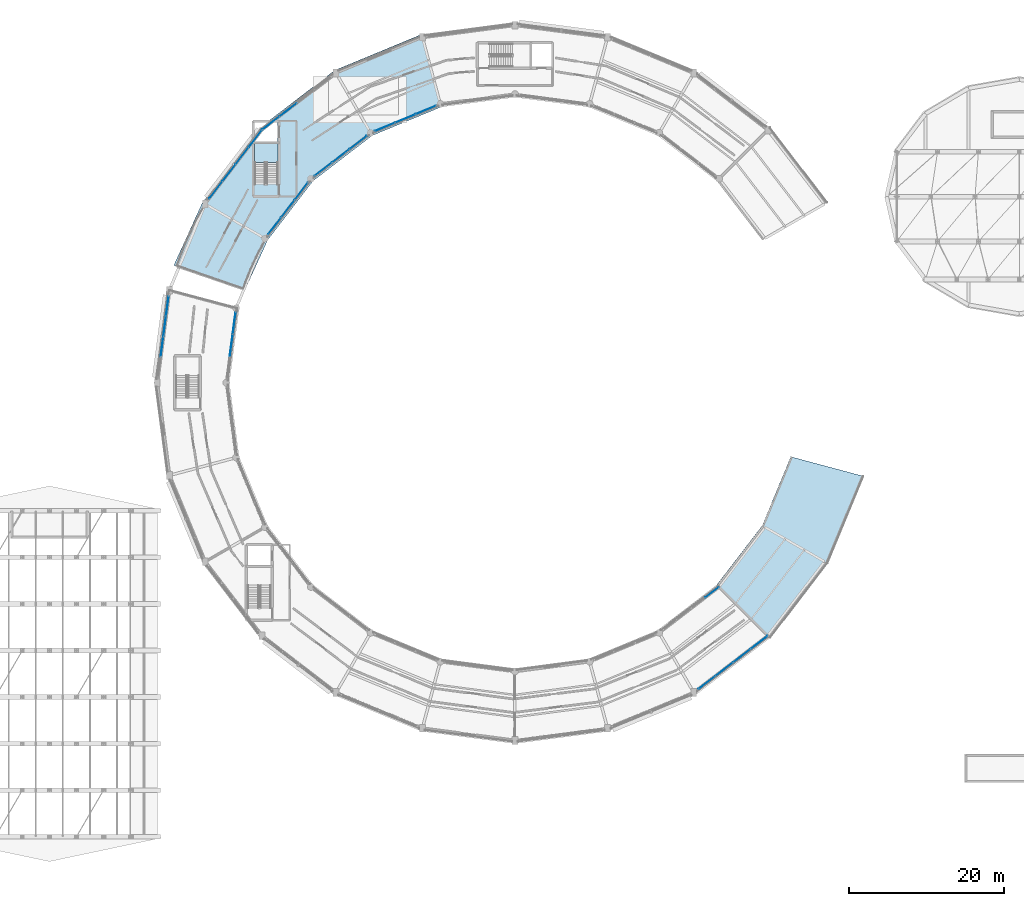
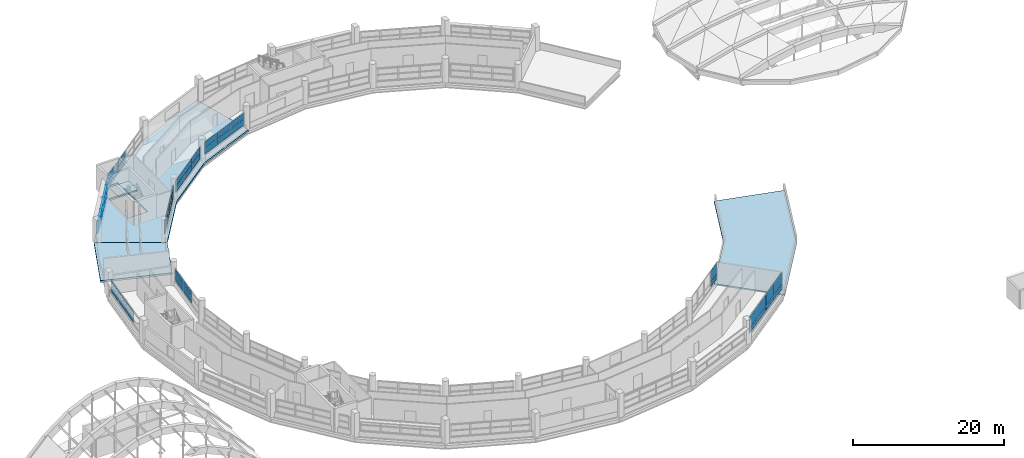
# One storey, part 69 of 88: 50 plates, 4 slabs, 10 elements without a shape of their own.
"""IFC4 building model written with IfcOpenShell, lengths in metres."""

from ifc_helpers import new_model, si_unit, direction, frame, origin, origin_2d, place, context, subcontext, project, spatial, polyline, rectangle, outline, extrude, material, layer, layer_set, type_object, element, aggregate, save


model = new_model("IFC4")

# Units and contexts
model_context = context("Model", 3, precision=1e-05, world=origin(), true_north=direction((0.0, 1.0)))
body_context = subcontext(model_context, "Body", "Model", "MODEL_VIEW")
ifc_project = project(units=[si_unit("LENGTHUNIT", "METRE"), si_unit("AREAUNIT", "SQUARE_METRE"), si_unit("VOLUMEUNIT", "CUBIC_METRE"), si_unit("PLANEANGLEUNIT", "RADIAN"), si_unit("MASSUNIT", "GRAM", prefix="KILO")], contexts=[model_context])

# Site, building, storey
site_placement = place(None, origin())
site = spatial("IfcSite", under=ifc_project, at=site_placement, CompositionType="ELEMENT")
building_placement = place(site_placement, origin())
building = spatial("IfcBuilding", under=site, at=building_placement, Name="Vespera Passage Community Centre", CompositionType="ELEMENT")
storey_placement = place(building_placement, frame((0.0, 0.0, 16.5)))
storey = spatial("IfcBuildingStorey", under=building, at=storey_placement, Name="L04", CompositionType="ELEMENT", Elevation=16.5)

# Curtain wall, plates
ifc_material_1 = material(Name="Anodized aluminium 6063-T6", Category="aluminium")
ifc_layer_1 = layer(ifc_material_1, 0.159912109375)
ifc_layer_set_1 = layer_set([ifc_layer_1], Name="Anodized aluminium 6063-T6")
curtain_wall_type_1 = type_object("IfcCurtainWallType", Name="CW-62E", PredefinedType="NOTDEFINED", material=ifc_layer_set_1)
curtain_wall_1_placement = place(storey_placement, origin())
curtain_wall_1 = element("IfcCurtainWall", 1, at=curtain_wall_1_placement, inside=storey, type_object=curtain_wall_type_1, Name="V4 L04 Outer Ribbon Curtain Wall 9", PredefinedType="NOTDEFINED")
ifc_material_2 = material(Name="Low-E insulated vision glass", Category="glass")
ifc_layer_2 = layer(ifc_material_2, 0.02001953125)
ifc_layer_set_2 = layer_set([ifc_layer_2], Name="Low-E insulated vision glass")
plate_type_1 = type_object("IfcPlateType", Name="PL-CWP-20E", PredefinedType="CURTAIN_PANEL", material=ifc_layer_set_2)
plate_1_placement = place(storey_placement, frame((39.444580078125, 90.333251953125, 0.919921875), z_axis=(0.0, 0.0, 1.0), x_axis=(0.608765222978, 0.793350429062, 0.0)))
plate_1 = element("IfcPlate", 2, at=plate_1_placement, type_object=plate_type_1, Name="CW-62E panel 1.1", PredefinedType="CURTAIN_PANEL", context=body_context, shape_type="SweptSolid", body=[
    extrude(rectangle(XDim=2.703369140625, YDim=0.02001953125, at=origin_2d()), origin(), (0.0, 0.0, 1.0), 0.852783203125),
])
plate_2_placement = place(storey_placement, frame((39.444580078125, 90.333251953125, 1.873046875), z_axis=(0.0, 0.0, 1.0), x_axis=(0.608765222978, 0.793350429062, 0.0)))
plate_2 = element("IfcPlate", 3, at=plate_2_placement, type_object=plate_type_1, Name="CW-62E panel 1.2", PredefinedType="CURTAIN_PANEL", context=body_context, shape_type="SweptSolid", body=[
    extrude(rectangle(XDim=2.703369140625, YDim=0.02001953125, at=origin_2d()), origin(), (0.0, 0.0, 1.0), 0.852783203125),
])
plate_3_placement = place(storey_placement, frame((41.1396484375, 92.54248046875, 0.919921875), z_axis=(0.0, 0.0, 1.0), x_axis=(0.608765222978, 0.793350429062, 0.0)))
plate_3 = element("IfcPlate", 4, at=plate_3_placement, type_object=plate_type_1, Name="CW-62E panel 2.1", PredefinedType="CURTAIN_PANEL", context=body_context, shape_type="SweptSolid", body=[
    extrude(rectangle(XDim=2.73583984375, YDim=0.02001953125, at=origin_2d()), origin(), (0.0, 0.0, 1.0), 0.852783203125),
])
plate_4_placement = place(storey_placement, frame((41.1396484375, 92.54248046875, 1.873046875), z_axis=(0.0, 0.0, 1.0), x_axis=(0.608765222978, 0.793350429062, 0.0)))
plate_4 = element("IfcPlate", 5, at=plate_4_placement, type_object=plate_type_1, Name="CW-62E panel 2.2", PredefinedType="CURTAIN_PANEL", context=body_context, shape_type="SweptSolid", body=[
    extrude(rectangle(XDim=2.73583984375, YDim=0.02001953125, at=origin_2d()), origin(), (0.0, 0.0, 1.0), 0.852783203125),
])
plate_5_placement = place(storey_placement, frame((42.8447265625, 94.764404296875, 0.919921875), z_axis=(0.0, 0.0, 1.0), x_axis=(0.608765222978, 0.793350429062, 0.0)))
plate_5 = element("IfcPlate", 6, at=plate_5_placement, type_object=plate_type_1, Name="CW-62E panel 3.1", PredefinedType="CURTAIN_PANEL", context=body_context, shape_type="SweptSolid", body=[
    extrude(rectangle(XDim=2.73583984375, YDim=0.02001953125, at=origin_2d()), origin(), (0.0, 0.0, 1.0), 0.852783203125),
])
plate_6_placement = place(storey_placement, frame((42.8447265625, 94.764404296875, 1.873046875), z_axis=(0.0, 0.0, 1.0), x_axis=(0.608765222978, 0.793350429062, 0.0)))
plate_6 = element("IfcPlate", 7, at=plate_6_placement, type_object=plate_type_1, Name="CW-62E panel 3.2", PredefinedType="CURTAIN_PANEL", context=body_context, shape_type="SweptSolid", body=[
    extrude(rectangle(XDim=2.73583984375, YDim=0.02001953125, at=origin_2d()), origin(), (0.0, 0.0, 1.0), 0.852783203125),
])
plate_7_placement = place(storey_placement, frame((44.5400390625, 96.9736328125, 0.919921875), z_axis=(0.0, 0.0, 1.0), x_axis=(0.608765222978, 0.793350429062, 0.0)))
plate_7 = element("IfcPlate", 8, at=plate_7_placement, type_object=plate_type_1, Name="CW-62E panel 4.1", PredefinedType="CURTAIN_PANEL", context=body_context, shape_type="SweptSolid", body=[
    extrude(rectangle(XDim=2.703369140625, YDim=0.02001953125, at=origin_2d()), origin(), (0.0, 0.0, 1.0), 0.852783203125),
])
plate_8_placement = place(storey_placement, frame((44.5400390625, 96.9736328125, 1.873046875), z_axis=(0.0, 0.0, 1.0), x_axis=(0.608765222978, 0.793350429062, 0.0)))
plate_8 = element("IfcPlate", 9, at=plate_8_placement, type_object=plate_type_1, Name="CW-62E panel 4.2", PredefinedType="CURTAIN_PANEL", context=body_context, shape_type="SweptSolid", body=[
    extrude(rectangle(XDim=2.703369140625, YDim=0.02001953125, at=origin_2d()), origin(), (0.0, 0.0, 1.0), 0.852783203125),
])
aggregate(curtain_wall_1, [plate_1, plate_2, plate_3, plate_4, plate_5, plate_6, plate_7, plate_8])

ifc_material_3 = material(Name="Anodized aluminium 6063-T6", Category="aluminium")
ifc_layer_3 = layer(ifc_material_3, 0.159912109375)
ifc_layer_set_3 = layer_set([ifc_layer_3], Name="Anodized aluminium 6063-T6")
curtain_wall_type_2 = type_object("IfcCurtainWallType", Name="CW-54E", PredefinedType="NOTDEFINED", material=ifc_layer_set_3)
curtain_wall_2_placement = place(storey_placement, origin())
curtain_wall_2 = element("IfcCurtainWall", 10, at=curtain_wall_2_placement, inside=storey, type_object=curtain_wall_type_2, Name="V4 L04 Inner Court Curtain Wall 9", PredefinedType="NOTDEFINED")
plate_9_placement = place(storey_placement, frame((50.458251953125, 90.191650390625, 0.880126953125), z_axis=(0.0, 0.0, 1.0), x_axis=(-0.608755087843, -0.793358205999, 0.0)))
plate_9 = element("IfcPlate", 11, at=plate_9_placement, type_object=plate_type_1, Name="CW-54E panel 1.1", PredefinedType="CURTAIN_PANEL", context=body_context, shape_type="SweptSolid", body=[
    extrude(rectangle(XDim=2.72900390625, YDim=0.02001953125, at=origin_2d()), origin(), (0.0, 0.0, 1.0), 0.95458984375),
])
plate_10_placement = place(storey_placement, frame((50.458251953125, 90.191650390625, 1.894775390625), z_axis=(0.0, 0.0, 1.0), x_axis=(-0.608755087843, -0.793358205999, 0.0)))
plate_10 = element("IfcPlate", 12, at=plate_10_placement, type_object=plate_type_1, Name="CW-54E panel 1.2", PredefinedType="CURTAIN_PANEL", context=body_context, shape_type="SweptSolid", body=[
    extrude(rectangle(XDim=2.72900390625, YDim=0.02001953125, at=origin_2d()), origin(), (0.0, 0.0, 1.0), 0.95458984375),
])
plate_11_placement = place(storey_placement, frame((48.73974609375, 87.9521484375, 0.880126953125), z_axis=(0.0, 0.0, 1.0), x_axis=(-0.608755087843, -0.793358205999, 0.0)))
plate_11 = element("IfcPlate", 13, at=plate_11_placement, type_object=plate_type_1, Name="CW-54E panel 2.1", PredefinedType="CURTAIN_PANEL", context=body_context, shape_type="SweptSolid", body=[
    extrude(rectangle(XDim=2.7666015625, YDim=0.02001953125, at=origin_2d()), origin(), (0.0, 0.0, 1.0), 0.95458984375),
])
plate_12_placement = place(storey_placement, frame((48.73974609375, 87.9521484375, 1.894775390625), z_axis=(0.0, 0.0, 1.0), x_axis=(-0.608755087843, -0.793358205999, 0.0)))
plate_12 = element("IfcPlate", 14, at=plate_12_placement, type_object=plate_type_1, Name="CW-54E panel 2.2", PredefinedType="CURTAIN_PANEL", context=body_context, shape_type="SweptSolid", body=[
    extrude(rectangle(XDim=2.7666015625, YDim=0.02001953125, at=origin_2d()), origin(), (0.0, 0.0, 1.0), 0.95458984375),
])
plate_13_placement = place(storey_placement, frame((47.021240234375, 85.712646484375, 0.880126953125), z_axis=(0.0, 0.0, 1.0), x_axis=(-0.608755087843, -0.793358205999, 0.0)))
plate_13 = element("IfcPlate", 15, at=plate_13_placement, type_object=plate_type_1, Name="CW-54E panel 3.1", PredefinedType="CURTAIN_PANEL", context=body_context, shape_type="SweptSolid", body=[
    extrude(rectangle(XDim=2.72900390625, YDim=0.02001953125, at=origin_2d()), origin(), (0.0, 0.0, 1.0), 0.95458984375),
])
plate_14_placement = place(storey_placement, frame((47.021240234375, 85.712646484375, 1.894775390625), z_axis=(0.0, 0.0, 1.0), x_axis=(-0.608755087843, -0.793358205999, 0.0)))
plate_14 = element("IfcPlate", 16, at=plate_14_placement, type_object=plate_type_1, Name="CW-54E panel 3.2", PredefinedType="CURTAIN_PANEL", context=body_context, shape_type="SweptSolid", body=[
    extrude(rectangle(XDim=2.72900390625, YDim=0.02001953125, at=origin_2d()), origin(), (0.0, 0.0, 1.0), 0.95458984375),
])
aggregate(curtain_wall_2, [plate_9, plate_10, plate_11, plate_12, plate_13, plate_14])

ifc_material_4 = material(Name="Anodized aluminium 6063-T6", Category="aluminium")
ifc_layer_4 = layer(ifc_material_4, 0.159912109375)
ifc_layer_set_4 = layer_set([ifc_layer_4], Name="Anodized aluminium 6063-T6")
curtain_wall_type_3 = type_object("IfcCurtainWallType", Name="CW-56E", PredefinedType="NOTDEFINED", material=ifc_layer_set_4)
curtain_wall_3_placement = place(storey_placement, origin())
curtain_wall_3 = element("IfcCurtainWall", 17, at=curtain_wall_3_placement, inside=storey, type_object=curtain_wall_type_3, Name="V4 L04 Inner Court Curtain Wall 7", PredefinedType="NOTDEFINED")
ifc_material_5 = material(Name="Low-E insulated vision glass", Category="glass")
ifc_layer_5 = layer(ifc_material_5, 0.028076171875)
ifc_layer_set_5 = layer_set([ifc_layer_5], Name="Low-E insulated vision glass")
plate_type_2 = type_object("IfcPlateType", Name="PL-CWP-28E", PredefinedType="CURTAIN_PANEL", material=ifc_layer_set_5)
plate_15_placement = place(storey_placement, frame((66.52685546875, 100.668212890625, 0.880126953125), z_axis=(0.0, 0.0, 1.0), x_axis=(-0.923876620096, -0.382690463482, 0.0)))
plate_15 = element("IfcPlate", 18, at=plate_15_placement, type_object=plate_type_2, Name="CW-56E panel 1.1", PredefinedType="CURTAIN_PANEL", context=body_context, shape_type="SweptSolid", body=[
    extrude(rectangle(XDim=2.7646484375, YDim=0.028076171875, at=origin_2d()), origin(), (0.0, 0.0, 1.0), 0.95458984375),
])
plate_16_placement = place(storey_placement, frame((66.52685546875, 100.668212890625, 1.894775390625), z_axis=(0.0, 0.0, 1.0), x_axis=(-0.923876620096, -0.382690463482, 0.0)))
plate_16 = element("IfcPlate", 19, at=plate_16_placement, type_object=plate_type_2, Name="CW-56E panel 1.2", PredefinedType="CURTAIN_PANEL", context=body_context, shape_type="SweptSolid", body=[
    extrude(rectangle(XDim=2.7646484375, YDim=0.028076171875, at=origin_2d()), origin(), (0.0, 0.0, 1.0), 0.95458984375),
])
plate_17_placement = place(storey_placement, frame((63.885986328125, 99.57421875, 0.880126953125), z_axis=(0.0, 0.0, 1.0), x_axis=(-0.923876620096, -0.382690463482, 0.0)))
plate_17 = element("IfcPlate", 20, at=plate_17_placement, type_object=plate_type_2, Name="CW-56E panel 2.1", PredefinedType="CURTAIN_PANEL", context=body_context, shape_type="SweptSolid", body=[
    extrude(rectangle(XDim=2.80224609375, YDim=0.028076171875, at=origin_2d()), origin(), (0.0, 0.0, 1.0), 0.95458984375),
])
plate_18_placement = place(storey_placement, frame((63.885986328125, 99.57421875, 1.894775390625), z_axis=(0.0, 0.0, 1.0), x_axis=(-0.923876620096, -0.382690463482, 0.0)))
plate_18 = element("IfcPlate", 21, at=plate_18_placement, type_object=plate_type_2, Name="CW-56E panel 2.2", PredefinedType="CURTAIN_PANEL", context=body_context, shape_type="SweptSolid", body=[
    extrude(rectangle(XDim=2.80224609375, YDim=0.028076171875, at=origin_2d()), origin(), (0.0, 0.0, 1.0), 0.95458984375),
])
plate_19_placement = place(storey_placement, frame((61.2451171875, 98.480224609375, 0.880126953125), z_axis=(0.0, 0.0, 1.0), x_axis=(-0.923876620096, -0.382690463482, 0.0)))
plate_19 = element("IfcPlate", 22, at=plate_19_placement, type_object=plate_type_2, Name="CW-56E panel 3.1", PredefinedType="CURTAIN_PANEL", context=body_context, shape_type="SweptSolid", body=[
    extrude(rectangle(XDim=2.7646484375, YDim=0.028076171875, at=origin_2d()), origin(), (0.0, 0.0, 1.0), 0.95458984375),
])
plate_20_placement = place(storey_placement, frame((61.2451171875, 98.480224609375, 1.894775390625), z_axis=(0.0, 0.0, 1.0), x_axis=(-0.923876620096, -0.382690463482, 0.0)))
plate_20 = element("IfcPlate", 23, at=plate_20_placement, type_object=plate_type_2, Name="CW-56E panel 3.2", PredefinedType="CURTAIN_PANEL", context=body_context, shape_type="SweptSolid", body=[
    extrude(rectangle(XDim=2.7646484375, YDim=0.028076171875, at=origin_2d()), origin(), (0.0, 0.0, 1.0), 0.95458984375),
])
aggregate(curtain_wall_3, [plate_15, plate_16, plate_17, plate_18, plate_19, plate_20])

ifc_material_6 = material(Name="Anodized aluminium 6063-T6", Category="aluminium")
ifc_layer_6 = layer(ifc_material_6, 0.159912109375)
ifc_layer_set_6 = layer_set([ifc_layer_6], Name="Anodized aluminium 6063-T6")
curtain_wall_type_4 = type_object("IfcCurtainWallType", Name="CW-61E", PredefinedType="NOTDEFINED", material=ifc_layer_set_6)
curtain_wall_4_placement = place(storey_placement, origin())
curtain_wall_4 = element("IfcCurtainWall", 24, at=curtain_wall_4_placement, inside=storey, type_object=curtain_wall_type_4, Name="V4 L04 Inner Court Curtain Wall 8", PredefinedType="NOTDEFINED")
ifc_material_7 = material(Name="Acoustic triple-glazed vision glass", Category="glass")
ifc_layer_7 = layer(ifc_material_7, 0.035888671875)
ifc_layer_set_7 = layer_set([ifc_layer_7], Name="Acoustic triple-glazed vision glass")
plate_type_3 = type_object("IfcPlateType", Name="PL-CWP-36E", PredefinedType="CURTAIN_PANEL", material=ifc_layer_set_7)
plate_21_placement = place(storey_placement, frame((57.789306640625, 96.480224609375, 0.919921875), z_axis=(0.0, 0.0, 1.0), x_axis=(-0.793358205999, -0.608755087843, 0.0)))
plate_21 = element("IfcPlate", 25, at=plate_21_placement, type_object=plate_type_3, Name="CW-61E panel 1.1", PredefinedType="CURTAIN_PANEL", context=body_context, shape_type="SweptSolid", body=[
    extrude(rectangle(XDim=2.744140625, YDim=0.035888671875, at=origin_2d()), origin(), (0.0, 0.0, 1.0), 0.894775390625),
])
plate_22_placement = place(storey_placement, frame((57.789306640625, 96.480224609375, 1.91455078125), z_axis=(0.0, 0.0, 1.0), x_axis=(-0.793358205999, -0.608755087843, 0.0)))
plate_22 = element("IfcPlate", 26, at=plate_22_placement, type_object=plate_type_3, Name="CW-61E panel 1.2", PredefinedType="CURTAIN_PANEL", context=body_context, shape_type="SweptSolid", body=[
    extrude(rectangle(XDim=2.744140625, YDim=0.035888671875, at=origin_2d()), origin(), (0.0, 0.0, 1.0), 0.894775390625),
])
plate_23_placement = place(storey_placement, frame((55.5478515625, 94.76025390625, 0.919921875), z_axis=(0.0, 0.0, 1.0), x_axis=(-0.793358205999, -0.608755087843, 0.0)))
plate_23 = element("IfcPlate", 27, at=plate_23_placement, type_object=plate_type_3, Name="CW-61E panel 2.1", PredefinedType="CURTAIN_PANEL", context=body_context, shape_type="SweptSolid", body=[
    extrude(rectangle(XDim=2.776611328125, YDim=0.035888671875, at=origin_2d()), origin(), (0.0, 0.0, 1.0), 0.894775390625),
])
plate_24_placement = place(storey_placement, frame((55.5478515625, 94.76025390625, 1.91455078125), z_axis=(0.0, 0.0, 1.0), x_axis=(-0.793358205999, -0.608755087843, 0.0)))
plate_24 = element("IfcPlate", 28, at=plate_24_placement, type_object=plate_type_3, Name="CW-61E panel 2.2", PredefinedType="CURTAIN_PANEL", context=body_context, shape_type="SweptSolid", body=[
    extrude(rectangle(XDim=2.776611328125, YDim=0.035888671875, at=origin_2d()), origin(), (0.0, 0.0, 1.0), 0.894775390625),
])
plate_25_placement = place(storey_placement, frame((53.306396484375, 93.040283203125, 0.919921875), z_axis=(0.0, 0.0, 1.0), x_axis=(-0.793358205999, -0.608755087843, 0.0)))
plate_25 = element("IfcPlate", 29, at=plate_25_placement, type_object=plate_type_3, Name="CW-61E panel 3.1", PredefinedType="CURTAIN_PANEL", context=body_context, shape_type="SweptSolid", body=[
    extrude(rectangle(XDim=2.744140625, YDim=0.035888671875, at=origin_2d()), origin(), (0.0, 0.0, 1.0), 0.894775390625),
])
plate_26_placement = place(storey_placement, frame((53.306396484375, 93.040283203125, 1.91455078125), z_axis=(0.0, 0.0, 1.0), x_axis=(-0.793358205999, -0.608755087843, 0.0)))
plate_26 = element("IfcPlate", 30, at=plate_26_placement, type_object=plate_type_3, Name="CW-61E panel 3.2", PredefinedType="CURTAIN_PANEL", context=body_context, shape_type="SweptSolid", body=[
    extrude(rectangle(XDim=2.744140625, YDim=0.035888671875, at=origin_2d()), origin(), (0.0, 0.0, 1.0), 0.894775390625),
])
aggregate(curtain_wall_4, [plate_21, plate_22, plate_23, plate_24, plate_25, plate_26])

ifc_material_8 = material(Name="Anodized aluminium 6063-T6", Category="aluminium")
ifc_layer_8 = layer(ifc_material_8, 0.159912109375)
ifc_layer_set_8 = layer_set([ifc_layer_8], Name="Anodized aluminium 6063-T6")
curtain_wall_type_5 = type_object("IfcCurtainWallType", Name="CW-63E", PredefinedType="NOTDEFINED", material=ifc_layer_set_8)
curtain_wall_5_placement = place(storey_placement, origin())
curtain_wall_5 = element("IfcCurtainWall", 31, at=curtain_wall_5_placement, inside=storey, type_object=curtain_wall_type_5, Name="V4 L04 Outer Ribbon Curtain Wall 11", PredefinedType="NOTDEFINED")
plate_27_placement = place(storey_placement, frame((32.512451171875, 70.152587890625, 0.919921875), z_axis=(0.0, 0.0, 1.0), x_axis=(0.130522869458, 0.991445298818, 0.0)))
plate_27 = element("IfcPlate", 32, at=plate_27_placement, type_object=plate_type_3, Name="CW-63E panel 2.1", PredefinedType="CURTAIN_PANEL", context=body_context, shape_type="SweptSolid", body=[
    extrude(rectangle(XDim=2.573974609375, YDim=0.035888671875, at=origin_2d()), origin(), (0.0, 0.0, 1.0), 0.852783203125),
])
plate_28_placement = place(storey_placement, frame((32.512451171875, 70.152587890625, 1.873046875), z_axis=(0.0, 0.0, 1.0), x_axis=(0.130522869458, 0.991445298818, 0.0)))
plate_28 = element("IfcPlate", 33, at=plate_28_placement, type_object=plate_type_3, Name="CW-63E panel 2.2", PredefinedType="CURTAIN_PANEL", context=body_context, shape_type="SweptSolid", body=[
    extrude(rectangle(XDim=2.573974609375, YDim=0.035888671875, at=origin_2d()), origin(), (0.0, 0.0, 1.0), 0.852783203125),
])
plate_29_placement = place(storey_placement, frame((32.858154296875, 72.779052734375, 0.919921875), z_axis=(0.0, 0.0, 1.0), x_axis=(0.130522869458, 0.991445298818, 0.0)))
plate_29 = element("IfcPlate", 34, at=plate_29_placement, type_object=plate_type_3, Name="CW-63E panel 3.1", PredefinedType="CURTAIN_PANEL", context=body_context, shape_type="SweptSolid", body=[
    extrude(rectangle(XDim=2.573974609375, YDim=0.035888671875, at=origin_2d()), origin(), (0.0, 0.0, 1.0), 0.852783203125),
])
plate_30_placement = place(storey_placement, frame((32.858154296875, 72.779052734375, 1.873046875), z_axis=(0.0, 0.0, 1.0), x_axis=(0.130522869458, 0.991445298818, 0.0)))
plate_30 = element("IfcPlate", 35, at=plate_30_placement, type_object=plate_type_3, Name="CW-63E panel 3.2", PredefinedType="CURTAIN_PANEL", context=body_context, shape_type="SweptSolid", body=[
    extrude(rectangle(XDim=2.573974609375, YDim=0.035888671875, at=origin_2d()), origin(), (0.0, 0.0, 1.0), 0.852783203125),
])
plate_31_placement = place(storey_placement, frame((33.20166015625, 75.38671875, 0.919921875), z_axis=(0.0, 0.0, 1.0), x_axis=(0.130522869458, 0.991445298818, 0.0)))
plate_31 = element("IfcPlate", 36, at=plate_31_placement, type_object=plate_type_3, Name="CW-63E panel 4.1", PredefinedType="CURTAIN_PANEL", context=body_context, shape_type="SweptSolid", body=[
    extrude(rectangle(XDim=2.536376953125, YDim=0.035888671875, at=origin_2d()), origin(), (0.0, 0.0, 1.0), 0.852783203125),
])
plate_32_placement = place(storey_placement, frame((33.20166015625, 75.38671875, 1.873046875), z_axis=(0.0, 0.0, 1.0), x_axis=(0.130522869458, 0.991445298818, 0.0)))
plate_32 = element("IfcPlate", 37, at=plate_32_placement, type_object=plate_type_3, Name="CW-63E panel 4.2", PredefinedType="CURTAIN_PANEL", context=body_context, shape_type="SweptSolid", body=[
    extrude(rectangle(XDim=2.536376953125, YDim=0.035888671875, at=origin_2d()), origin(), (0.0, 0.0, 1.0), 0.852783203125),
])
aggregate(curtain_wall_5, [plate_27, plate_28, plate_29, plate_30, plate_31, plate_32])

ifc_material_9 = material(Name="Anodized aluminium 6063-T6", Category="aluminium")
ifc_layer_9 = layer(ifc_material_9, 0.159912109375)
ifc_layer_set_9 = layer_set([ifc_layer_9], Name="Anodized aluminium 6063-T6")
curtain_wall_type_6 = type_object("IfcCurtainWallType", Name="CW-58E", PredefinedType="NOTDEFINED", material=ifc_layer_set_9)
curtain_wall_6_placement = place(storey_placement, origin())
curtain_wall_6 = element("IfcCurtainWall", 38, at=curtain_wall_6_placement, inside=storey, type_object=curtain_wall_type_6, Name="V4 L04 Inner Court Curtain Wall 11", PredefinedType="NOTDEFINED")
plate_33_placement = place(storey_placement, frame((41.80908203125, 73.165283203125, 0.880126953125), z_axis=(0.0, 0.0, 1.0), x_axis=(-0.1305221941, -0.991445387728, 0.0)))
plate_33 = element("IfcPlate", 39, at=plate_33_placement, type_object=plate_type_3, Name="CW-58E panel 1.1", PredefinedType="CURTAIN_PANEL", context=body_context, shape_type="SweptSolid", body=[
    extrude(rectangle(XDim=2.79443359375, YDim=0.035888671875, at=origin_2d()), origin(), (0.0, 0.0, 1.0), 0.95458984375),
])
plate_34_placement = place(storey_placement, frame((41.80908203125, 73.165283203125, 1.894775390625), z_axis=(0.0, 0.0, 1.0), x_axis=(-0.1305221941, -0.991445387728, 0.0)))
plate_34 = element("IfcPlate", 40, at=plate_34_placement, type_object=plate_type_3, Name="CW-58E panel 1.2", PredefinedType="CURTAIN_PANEL", context=body_context, shape_type="SweptSolid", body=[
    extrude(rectangle(XDim=2.79443359375, YDim=0.035888671875, at=origin_2d()), origin(), (0.0, 0.0, 1.0), 0.95458984375),
])
plate_35_placement = place(storey_placement, frame((41.433837890625, 70.31396484375, 0.880126953125), z_axis=(0.0, 0.0, 1.0), x_axis=(-0.1305221941, -0.991445387728, 0.0)))
plate_35 = element("IfcPlate", 41, at=plate_35_placement, type_object=plate_type_3, Name="CW-58E panel 2.1", PredefinedType="CURTAIN_PANEL", context=body_context, shape_type="SweptSolid", body=[
    extrude(rectangle(XDim=2.826904296875, YDim=0.035888671875, at=origin_2d()), origin(), (0.0, 0.0, 1.0), 0.95458984375),
])
plate_36_placement = place(storey_placement, frame((41.433837890625, 70.31396484375, 1.894775390625), z_axis=(0.0, 0.0, 1.0), x_axis=(-0.1305221941, -0.991445387728, 0.0)))
plate_36 = element("IfcPlate", 42, at=plate_36_placement, type_object=plate_type_3, Name="CW-58E panel 2.2", PredefinedType="CURTAIN_PANEL", context=body_context, shape_type="SweptSolid", body=[
    extrude(rectangle(XDim=2.826904296875, YDim=0.035888671875, at=origin_2d()), origin(), (0.0, 0.0, 1.0), 0.95458984375),
])
aggregate(curtain_wall_6, [plate_33, plate_34, plate_35, plate_36])

ifc_material_10 = material(Name="Anodized aluminium 6063-T6", Category="aluminium")
ifc_layer_10 = layer(ifc_material_10, 0.159912109375)
ifc_layer_set_10 = layer_set([ifc_layer_10], Name="Anodized aluminium 6063-T6")
curtain_wall_type_7 = type_object("IfcCurtainWallType", Name="CW-67E", PredefinedType="NOTDEFINED", material=ifc_layer_set_10)
curtain_wall_7_placement = place(storey_placement, origin())
curtain_wall_7 = element("IfcCurtainWall", 43, at=curtain_wall_7_placement, inside=storey, type_object=curtain_wall_type_7, Name="V4 L04 Outer Ribbon Curtain Wall 20", PredefinedType="NOTDEFINED")
plate_37_placement = place(storey_placement, frame((109.45751953125, 32.027587890625, 0.8798828125), z_axis=(0.0, 0.0, 1.0), x_axis=(-0.793348128169, -0.608768221519, 0.0)))
plate_37 = element("IfcPlate", 44, at=plate_37_placement, type_object=plate_type_3, Name="CW-67E panel 1.1", PredefinedType="CURTAIN_PANEL", context=body_context, shape_type="SweptSolid", body=[
    extrude(rectangle(XDim=2.72412109375, YDim=0.035888671875, at=origin_2d()), origin(), (0.0, 0.0, 1.0), 0.760009765625),
])
plate_38_placement = place(storey_placement, frame((109.45751953125, 32.027587890625, 1.699951171875), z_axis=(0.0, 0.0, 1.0), x_axis=(-0.793348128169, -0.608768221519, 0.0)))
plate_38 = element("IfcPlate", 45, at=plate_38_placement, type_object=plate_type_3, Name="CW-67E panel 1.2", PredefinedType="CURTAIN_PANEL", context=body_context, shape_type="SweptSolid", body=[
    extrude(rectangle(XDim=2.72412109375, YDim=0.035888671875, at=origin_2d()), origin(), (0.0, 0.0, 1.0), 1.85009765625),
])
plate_39_placement = place(storey_placement, frame((107.221923828125, 30.31201171875, 0.8798828125), z_axis=(0.0, 0.0, 1.0), x_axis=(-0.793348128169, -0.608768221519, 0.0)))
plate_39 = element("IfcPlate", 46, at=plate_39_placement, type_object=plate_type_3, Name="CW-67E panel 2.1", PredefinedType="CURTAIN_PANEL", context=body_context, shape_type="SweptSolid", body=[
    extrude(rectangle(XDim=2.76171875, YDim=0.035888671875, at=origin_2d()), origin(), (0.0, 0.0, 1.0), 0.760009765625),
])
plate_40_placement = place(storey_placement, frame((107.221923828125, 30.31201171875, 1.699951171875), z_axis=(0.0, 0.0, 1.0), x_axis=(-0.793348128169, -0.608768221519, 0.0)))
plate_40 = element("IfcPlate", 47, at=plate_40_placement, type_object=plate_type_3, Name="CW-67E panel 2.2", PredefinedType="CURTAIN_PANEL", context=body_context, shape_type="SweptSolid", body=[
    extrude(rectangle(XDim=2.76171875, YDim=0.035888671875, at=origin_2d()), origin(), (0.0, 0.0, 1.0), 1.85009765625),
])
plate_41_placement = place(storey_placement, frame((104.971435546875, 28.585205078125, 0.8798828125), z_axis=(0.0, 0.0, 1.0), x_axis=(-0.793348128169, -0.608768221519, 0.0)))
plate_41 = element("IfcPlate", 48, at=plate_41_placement, type_object=plate_type_3, Name="CW-67E panel 3.1", PredefinedType="CURTAIN_PANEL", context=body_context, shape_type="SweptSolid", body=[
    extrude(rectangle(XDim=2.76171875, YDim=0.035888671875, at=origin_2d()), origin(), (0.0, 0.0, 1.0), 0.760009765625),
])
plate_42_placement = place(storey_placement, frame((104.971435546875, 28.585205078125, 1.699951171875), z_axis=(0.0, 0.0, 1.0), x_axis=(-0.793348128169, -0.608768221519, 0.0)))
plate_42 = element("IfcPlate", 49, at=plate_42_placement, type_object=plate_type_3, Name="CW-67E panel 3.2", PredefinedType="CURTAIN_PANEL", context=body_context, shape_type="SweptSolid", body=[
    extrude(rectangle(XDim=2.76171875, YDim=0.035888671875, at=origin_2d()), origin(), (0.0, 0.0, 1.0), 1.85009765625),
])
plate_43_placement = place(storey_placement, frame((102.73583984375, 26.86962890625, 0.8798828125), z_axis=(0.0, 0.0, 1.0), x_axis=(-0.793348128169, -0.608768221519, 0.0)))
plate_43 = element("IfcPlate", 50, at=plate_43_placement, type_object=plate_type_3, Name="CW-67E panel 4.1", PredefinedType="CURTAIN_PANEL", context=body_context, shape_type="SweptSolid", body=[
    extrude(rectangle(XDim=2.72412109375, YDim=0.035888671875, at=origin_2d()), origin(), (0.0, 0.0, 1.0), 0.760009765625),
])
plate_44_placement = place(storey_placement, frame((102.73583984375, 26.86962890625, 1.699951171875), z_axis=(0.0, 0.0, 1.0), x_axis=(-0.793348128169, -0.608768221519, 0.0)))
plate_44 = element("IfcPlate", 51, at=plate_44_placement, type_object=plate_type_3, Name="CW-67E panel 4.2", PredefinedType="CURTAIN_PANEL", context=body_context, shape_type="SweptSolid", body=[
    extrude(rectangle(XDim=2.72412109375, YDim=0.035888671875, at=origin_2d()), origin(), (0.0, 0.0, 1.0), 1.85009765625),
])
aggregate(curtain_wall_7, [plate_37, plate_38, plate_39, plate_40, plate_41, plate_42, plate_43, plate_44])

ifc_material_11 = material(Name="Anodized aluminium 6063-T6", Category="aluminium")
ifc_layer_11 = layer(ifc_material_11, 0.159912109375)
ifc_layer_set_11 = layer_set([ifc_layer_11], Name="Anodized aluminium 6063-T6")
curtain_wall_type_8 = type_object("IfcCurtainWallType", Name="CW-68E", PredefinedType="NOTDEFINED", material=ifc_layer_set_11)
curtain_wall_8_placement = place(storey_placement, origin())
curtain_wall_8 = element("IfcCurtainWall", 52, at=curtain_wall_8_placement, inside=storey, type_object=curtain_wall_type_8, Name="V4 L04 Inner Court Curtain Wall 20", PredefinedType="NOTDEFINED")
plate_45_placement = place(storey_placement, frame((103.38720703125, 38.491943359375, 0.919921875), z_axis=(0.0, 0.0, 1.0), x_axis=(0.793358105594, 0.608755218694, 0.0)))
plate_45 = element("IfcPlate", 53, at=plate_45_placement, type_object=plate_type_3, Name="CW-68E panel 4.1", PredefinedType="CURTAIN_PANEL", context=body_context, shape_type="SweptSolid", body=[
    extrude(rectangle(XDim=2.181884765625, YDim=0.035888671875, at=origin_2d()), origin(), (0.0, 0.0, 1.0), 0.699951171875),
])
plate_46_placement = place(storey_placement, frame((103.38720703125, 38.491943359375, 1.719970703125), z_axis=(0.0, 0.0, 1.0), x_axis=(0.793358105594, 0.608755218694, 0.0)))
plate_46 = element("IfcPlate", 54, at=plate_46_placement, type_object=plate_type_3, Name="CW-68E panel 4.2", PredefinedType="CURTAIN_PANEL", context=body_context, shape_type="SweptSolid", body=[
    extrude(rectangle(XDim=2.181884765625, YDim=0.035888671875, at=origin_2d()), origin(), (0.0, 0.0, 1.0), 1.7900390625),
])
aggregate(curtain_wall_8, [plate_45, plate_46])

ifc_material_12 = material(Name="Anodized aluminium 6063-T6", Category="aluminium")
ifc_layer_12 = layer(ifc_material_12, 0.159912109375)
ifc_layer_set_12 = layer_set([ifc_layer_12], Name="Anodized aluminium 6063-T6")
curtain_wall_type_9 = type_object("IfcCurtainWallType", Name="CW-60E", PredefinedType="NOTDEFINED", material=ifc_layer_set_12)
curtain_wall_9_placement = place(storey_placement, origin())
curtain_wall_9 = element("IfcCurtainWall", 55, at=curtain_wall_9_placement, inside=storey, type_object=curtain_wall_type_9, Name="V4 L04 Outer Ribbon Curtain Wall 8", PredefinedType="NOTDEFINED")
ifc_material_13 = material(Name="Translucent glass block", Category="glass")
ifc_layer_13 = layer(ifc_material_13, 0.044921875)
ifc_layer_set_13 = layer_set([ifc_layer_13], Name="Translucent glass block")
plate_type_4 = type_object("IfcPlateType", Name="PL-CWP-45E", PredefinedType="CURTAIN_PANEL", material=ifc_layer_set_13)
plate_47_placement = place(storey_placement, frame((46.54248046875, 98.972412109375, 0.8798828125), z_axis=(0.0, 0.0, 1.0), x_axis=(0.793348128169, 0.608768221519, 0.0)))
plate_47 = element("IfcPlate", 56, at=plate_47_placement, type_object=plate_type_4, Name="CW-60E panel 1.1", PredefinedType="CURTAIN_PANEL", context=body_context, shape_type="SweptSolid", body=[
    extrude(rectangle(XDim=2.72412109375, YDim=0.044921875, at=origin_2d()), origin(), (0.0, 0.0, 1.0), 0.912841796875),
])
plate_48_placement = place(storey_placement, frame((46.54248046875, 98.972412109375, 1.8525390625), z_axis=(0.0, 0.0, 1.0), x_axis=(0.793348128169, 0.608768221519, 0.0)))
plate_48 = element("IfcPlate", 57, at=plate_48_placement, type_object=plate_type_4, Name="CW-60E panel 1.2", PredefinedType="CURTAIN_PANEL", context=body_context, shape_type="SweptSolid", body=[
    extrude(rectangle(XDim=2.72412109375, YDim=0.044921875, at=origin_2d()), origin(), (0.0, 0.0, 1.0), 0.912841796875),
])
plate_49_placement = place(storey_placement, frame((48.778076171875, 100.68798828125, 0.8798828125), z_axis=(0.0, 0.0, 1.0), x_axis=(0.793348128169, 0.608768221519, 0.0)))
plate_49 = element("IfcPlate", 58, at=plate_49_placement, type_object=plate_type_4, Name="CW-60E panel 2.1", PredefinedType="CURTAIN_PANEL", context=body_context, shape_type="SweptSolid", body=[
    extrude(rectangle(XDim=2.76171875, YDim=0.044921875, at=origin_2d()), origin(), (0.0, 0.0, 1.0), 0.912841796875),
])
plate_50_placement = place(storey_placement, frame((48.778076171875, 100.68798828125, 1.8525390625), z_axis=(0.0, 0.0, 1.0), x_axis=(0.793348128169, 0.608768221519, 0.0)))
plate_50 = element("IfcPlate", 59, at=plate_50_placement, type_object=plate_type_4, Name="CW-60E panel 2.2", PredefinedType="CURTAIN_PANEL", context=body_context, shape_type="SweptSolid", body=[
    extrude(rectangle(XDim=2.76171875, YDim=0.044921875, at=origin_2d()), origin(), (0.0, 0.0, 1.0), 0.912841796875),
])
aggregate(curtain_wall_9, [plate_47, plate_48, plate_49, plate_50])

# Slabs
ifc_material_14 = material(Name="Concrete f'c 35 MPa", Category="concrete")
ifc_layer_14 = layer(ifc_material_14, 0.300048828125)
ifc_layer_set_14 = layer_set([ifc_layer_14], Name="Concrete f'c 35 MPa")
slab_type_1 = type_object("IfcSlabType", Name="SL-HALL-300", PredefinedType="FLOOR", material=ifc_layer_set_14)
slab_1_placement = place(storey_placement, frame((0.0, 0.0, -0.300048828125)))
element("IfcSlab", 60, at=slab_1_placement, inside=storey, type_object=slab_type_1, Name="V4 L04 Library Sector 3 Slab", PredefinedType="FLOOR", context=body_context, shape_type="SweptSolid", body=[
    extrude(outline(polyline([(59.60009765625, 97.36962890625), (51.978515625, 91.521484375), (46.13037109375, 83.89990234375), (37.729736328125, 88.75), (44.48291015625, 97.551025390625), (44.48291015625, 96.568115234375), (47.383056640625, 96.568115234375), (47.383056640625, 99.068115234375), (46.015380859375, 99.068115234375), (54.75, 105.770263671875), (65.96484375, 110.41552734375), (68.4755859375, 101.046142578125), (59.60009765625, 97.36962890625)]), holes=[polyline([(44.43310546875, 96.327880859375), (44.43310546875, 91.35791015625), (47.43310546875, 91.35791015625), (47.43310546875, 96.327880859375), (44.43310546875, 96.327880859375)])]), origin(), (0.0, 0.0, 1.0), 0.300048828125),
])
slab_2_placement = place(storey_placement, frame((0.0, 0.0, -0.300048828125)))
element("IfcSlab", 61, at=slab_2_placement, inside=storey, type_object=slab_type_1, Name="V4 L04 Library Sector 4 Slab", PredefinedType="FLOOR", context=body_context, shape_type="SweptSolid", body=[
    extrude(outline(polyline([(37.729736328125, 88.75), (34.033447265625, 80.638916015625), (43.204833984375, 77.48095703125), (46.13037109375, 83.89990234375), (37.729736328125, 88.75)])), origin(), (0.0, 0.0, 1.0), 0.300048828125),
])

# Stair, slab
ifc_material_15 = material(Name="Concrete f'c 35 MPa", Category="concrete")
stair_type = type_object("IfcStairType", Name="ST-T03", PredefinedType="HALF_TURN_STAIR", material=ifc_material_15)
stair_placement = place(storey_placement, origin())
stair = element("IfcStair", 62, at=stair_placement, inside=storey, type_object=stair_type, Name="L04 Core C1 Exit Stair ST03", PredefinedType="HALF_TURN_STAIR")
ifc_material_16 = material(Name="Concrete f'c 35 MPa", Category="concrete")
ifc_layer_15 = layer(ifc_material_16, 0.199951171875)
ifc_layer_set_15 = layer_set([ifc_layer_15], Name="Concrete f'c 35 MPa")
slab_type_2 = type_object("IfcSlabType", Name="SL-LAND-200I", PredefinedType="LANDING", material=ifc_layer_set_15)
slab_3_placement = place(storey_placement, frame((0.0, 0.0, 1.75)))
slab_3 = element("IfcSlab", 63, at=slab_3_placement, type_object=slab_type_2, Name="ST03 landing 1", PredefinedType="LANDING", context=body_context, shape_type="SweptSolid", body=[
    extrude(outline(polyline([(47.43310546875, 93.927978515625), (47.43310546875, 96.327880859375), (44.43310546875, 96.327880859375), (44.43310546875, 93.927978515625), (47.43310546875, 93.927978515625)])), origin(), (0.0, 0.0, 1.0), 0.199951171875),
])
aggregate(stair, [slab_3])

# Slab
ifc_material_17 = material(Name="Concrete f'c 35 MPa", Category="concrete")
ifc_layer_16 = layer(ifc_material_17, 0.219970703125)
ifc_layer_set_16 = layer_set([ifc_layer_16], Name="Concrete f'c 35 MPa")
slab_type_3 = type_object("IfcSlabType", Name="SL-ROOF-220E", PredefinedType="ROOF", material=ifc_layer_set_16)
slab_4_placement = place(storey_placement, frame((0.0, 0.0, -0.219970703125)))
element("IfcSlab", 64, at=slab_4_placement, inside=storey, type_object=slab_type_3, Name="V4 L04 Southeast Step Roof Slab", PredefinedType="ROOF", context=body_context, shape_type="SweptSolid", body=[
    extrude(outline(polyline([(110.880615234375, 32.619384765625), (118.270263671875, 42.25), (122.91552734375, 53.46484375), (113.546142578125, 55.9755859375), (109.86962890625, 47.10009765625), (104.021484375, 39.478515625), (110.880615234375, 32.619384765625)])), origin(), (0.0, 0.0, 1.0), 0.219970703125),
])

save(model, "model.ifc")
